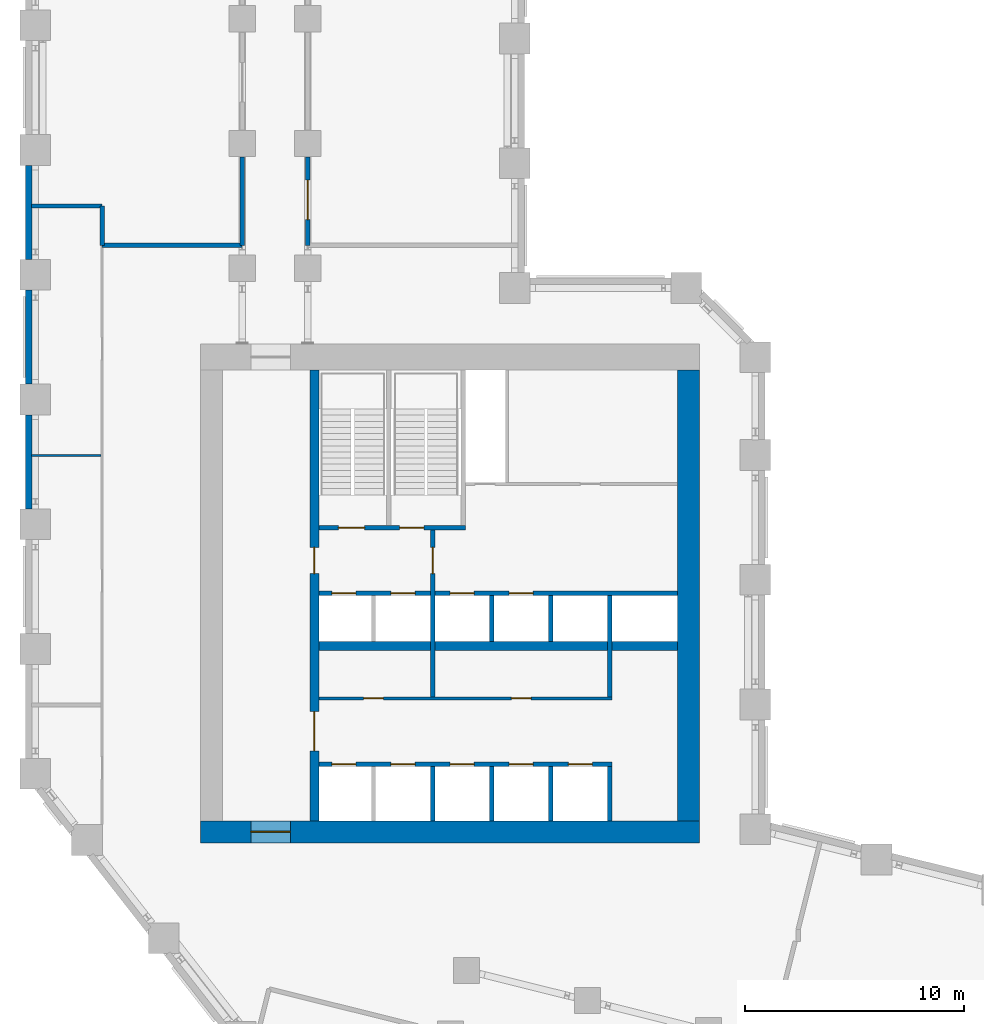
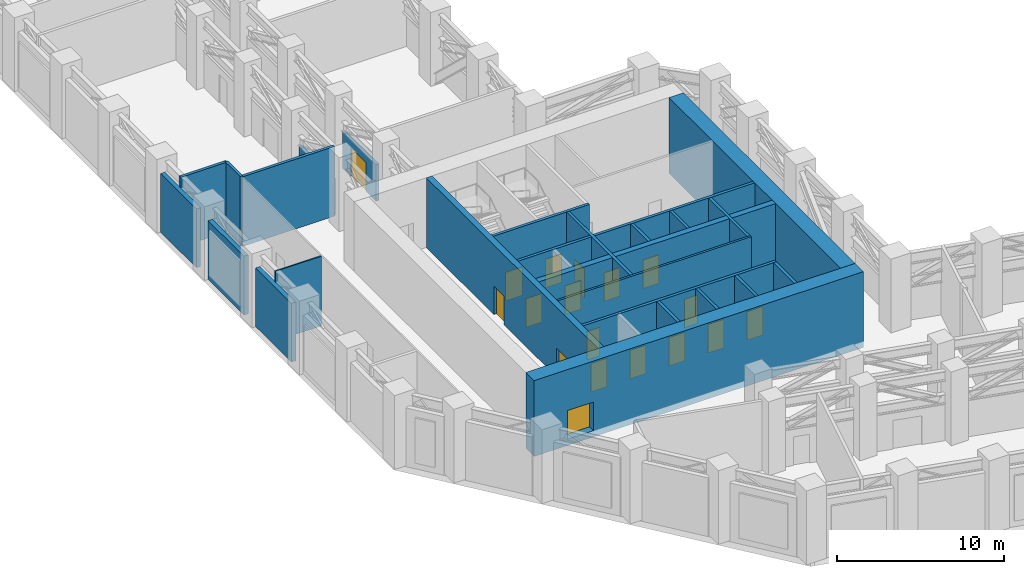
# One storey, part 8 of 14: 25 walls, 18 doors, 18 openings.
"""IFC4 building model written with IfcOpenShell, lengths in metres."""

from ifc_helpers import new_model, si_unit, direction, frame, frame_2d, origin, place, context, subcontext, project, spatial, rectangle, extrude, material, layer, layer_set, type_object, element, fill, save


model = new_model("IFC4")

# Units and contexts
model_context = context("Model", 3, precision=1e-05, world=origin(), true_north=direction((0.0, 1.0)))
body_context = subcontext(model_context, "Body", "Model", "MODEL_VIEW")
ifc_project = project(units=[si_unit("LENGTHUNIT", "METRE"), si_unit("AREAUNIT", "SQUARE_METRE"), si_unit("VOLUMEUNIT", "CUBIC_METRE"), si_unit("PLANEANGLEUNIT", "RADIAN"), si_unit("MASSUNIT", "GRAM", prefix="KILO")], contexts=[model_context])

# Site, building, storey
site_placement = place(None, origin())
site = spatial("IfcSite", under=ifc_project, at=site_placement, CompositionType="ELEMENT")
building_placement = place(site_placement, origin())
building = spatial("IfcBuilding", under=site, at=building_placement, Name="Meshkara Civic Tower", CompositionType="ELEMENT")
storey_placement = place(building_placement, frame((0.0, 0.0, 91.800048828125)))
storey = spatial("IfcBuildingStorey", under=building, at=storey_placement, Name="L20", CompositionType="ELEMENT", Elevation=91.800048828125)

# Wall, openings, doors
ifc_material_1 = material(Name="Blockwork", Category="masonry")
ifc_layer_1 = layer(ifc_material_1, 0.14990234375)
ifc_layer_set_1 = layer_set([ifc_layer_1], Name="Core partition 150")
wall_type_1 = type_object("IfcWallType", Name="Core partition 150", PredefinedType="PARTITIONING", material=ifc_layer_set_1)
wall_1_placement = place(storey_placement, frame((13.39990234375, 20.699951171875, 0.0), z_axis=(0.0, 0.0, 1.0), x_axis=(1.0, 0.0, 0.0)))
wall_1 = element("IfcWall", 1, at=wall_1_placement, inside=storey, type_object=wall_type_1, Name="L20-C006", PredefinedType="PARTITIONING", context=body_context, shape_type="SweptSolid", body=[
    extrude(rectangle(XDim=13.400146484375, YDim=0.14990234375, at=frame_2d((6.7001953125, 0.0))), origin(), (0.0, 0.0, 1.0), 5.099853515625),
])
opening_1_placement = place(wall_1_placement, frame((2.050048828125, 0.0, 0.0)))
opening_1 = element("IfcOpeningElement", 2, at=opening_1_placement, cuts=wall_1, Name="Opening L20-K010", PredefinedType="OPENING", context=body_context, shape_type="SweptSolid", body=[
    extrude(rectangle(XDim=0.89990234375, YDim=2.10009765625, at=frame_2d((0.449951171875, 1.050048828125))), frame((0.0, 0.0849609375, 0.0), z_axis=(0.0, -1.0, 0.0), x_axis=(1.0, 0.0, 0.0)), (0.0, 0.0, 1.0), 0.169921875),
])
opening_2_placement = place(wall_1_placement, frame((8.800048828125, 0.0, 0.0)))
opening_2 = element("IfcOpeningElement", 3, at=opening_2_placement, cuts=wall_1, Name="Opening L20-K011", PredefinedType="OPENING", context=body_context, shape_type="SweptSolid", body=[
    extrude(rectangle(XDim=0.89990234375, YDim=2.10009765625, at=frame_2d((0.449951171875, 1.050048828125))), frame((0.0, 0.0849609375, 0.0), z_axis=(0.0, -1.0, 0.0), x_axis=(1.0, 0.0, 0.0)), (0.0, 0.0, 1.0), 0.169921875),
])
ifc_material_2 = material(Name="Timber door leaf in steel frame", Category="steel")
door_type_1 = type_object("IfcDoorType", Name="Core room door 900", OperationType="SINGLE_SWING_LEFT", PredefinedType="DOOR", material=ifc_material_2)
door_1_placement = place(opening_1_placement, origin())
door_1 = element("IfcDoor", 4, at=door_1_placement, inside=storey, type_object=door_type_1, Name="L20-K010", OperationType="SINGLE_SWING_RIGHT", OverallHeight=2.10009765625, OverallWidth=0.89990234375, PredefinedType="DOOR", context=body_context, shape_type="SweptSolid", body=[
    extrude(rectangle(XDim=0.89990234375, YDim=2.10009765625, at=frame_2d((0.449951171875, 1.050048828125))), frame((0.0, 0.02490234375, 0.0), z_axis=(0.0, -1.0, 0.0), x_axis=(1.0, 0.0, 0.0)), (0.0, 0.0, 1.0), 0.050048828125),
])
fill(opening_1, door_1)
door_2_placement = place(opening_2_placement, origin())
door_2 = element("IfcDoor", 5, at=door_2_placement, inside=storey, type_object=door_type_1, Name="L20-K011", OperationType="SINGLE_SWING_RIGHT", OverallHeight=2.10009765625, OverallWidth=0.89990234375, PredefinedType="DOOR", context=body_context, shape_type="SweptSolid", body=[
    extrude(rectangle(XDim=0.89990234375, YDim=2.10009765625, at=frame_2d((0.449951171875, 1.050048828125))), frame((0.0, 0.02490234375, 0.0), z_axis=(0.0, -1.0, 0.0), x_axis=(1.0, 0.0, 0.0)), (0.0, 0.0, 1.0), 0.050048828125),
])
fill(opening_2, door_2)

# Wall, opening, door
ifc_material_3 = material(Name="Concrete C80", Category="concrete")
ifc_layer_2 = layer(ifc_material_3, 1.0)
ifc_layer_set_2 = layer_set([ifc_layer_2], Name="Core ring wall 1000 C80")
wall_type_2 = type_object("IfcWallType", Name="Core ring wall 1000 C80", PredefinedType="SHEAR", material=ifc_layer_set_2)
wall_2_placement = place(storey_placement, frame((8.0, 14.60009765625, -0.449951171875), z_axis=(0.0, 0.0, 1.0), x_axis=(1.0, 0.0, 0.0)))
wall_2 = element("IfcWall", 6, at=wall_2_placement, inside=storey, type_object=wall_type_2, Name="L20-C001", PredefinedType="SHEAR", context=body_context, shape_type="SweptSolid", body=[
    extrude(rectangle(XDim=22.800048828125, YDim=1.0, at=frame_2d((11.39990234375, 0.0))), origin(), (0.0, 0.0, 1.0), 5.5498046875),
])
opening_3_placement = place(wall_2_placement, frame((2.300048828125, 0.0, 0.449951171875)))
opening_3 = element("IfcOpeningElement", 7, at=opening_3_placement, cuts=wall_2, Name="Opening L20-K020", PredefinedType="OPENING", context=body_context, shape_type="SweptSolid", body=[
    extrude(rectangle(XDim=1.800048828125, YDim=2.10009765625, at=frame_2d((0.89990234375, 1.050048828125))), frame((0.0, 0.510009765625, 0.0), z_axis=(0.0, -1.0, 0.0), x_axis=(1.0, 0.0, 0.0)), (0.0, 0.0, 1.0), 1.02001953125),
])
ifc_material_4 = material(Name="Fire-rated door leaf in steel frame", Category="steel")
door_type_2 = type_object("IfcDoorType", Name="Core double door 1800 EI 60", OperationType="DOUBLE_DOOR_SINGLE_SWING", PredefinedType="DOOR", material=ifc_material_4)
door_3_placement = place(opening_3_placement, origin())
door_3 = element("IfcDoor", 8, at=door_3_placement, inside=storey, type_object=door_type_2, Name="L20-K020", OperationType="DOUBLE_DOOR_SINGLE_SWING", OverallHeight=2.10009765625, OverallWidth=1.800048828125, PredefinedType="DOOR", context=body_context, shape_type="SweptSolid", body=[
    extrude(rectangle(XDim=1.800048828125, YDim=2.10009765625, at=frame_2d((0.89990234375, 1.050048828125))), frame((0.0, 0.02490234375, 0.0), z_axis=(0.0, -1.0, 0.0), x_axis=(1.0, 0.0, 0.0)), (0.0, 0.0, 1.0), 0.050048828125),
])
fill(opening_3, door_3)

# Walls
wall_3_placement = place(storey_placement, frame((30.300048828125, 15.10009765625, -0.449951171875), z_axis=(0.0, 0.0, 1.0), x_axis=(0.0, 1.0, 0.0)))
element("IfcWall", 9, at=wall_3_placement, inside=storey, type_object=wall_type_2, Name="L20-C004", PredefinedType="SHEAR", context=body_context, shape_type="SweptSolid", body=[
    extrude(rectangle(XDim=20.599853515625, YDim=1.0, at=frame_2d((10.2998046875, 0.0))), origin(), (0.0, 0.0, 1.0), 5.5498046875),
])
ifc_material_5 = material(Name="Concrete C80", Category="concrete")
ifc_layer_3 = layer(ifc_material_5, 0.39990234375)
ifc_layer_set_3 = layer_set([ifc_layer_3], Name="Core shear wall 400 C80")
wall_type_3 = type_object("IfcWallType", Name="Core shear wall 400 C80", PredefinedType="SHEAR", material=ifc_layer_set_3)
wall_4_placement = place(storey_placement, frame((13.39990234375, 23.10009765625, 0.0), z_axis=(0.0, 0.0, 1.0), x_axis=(1.0, 0.0, 0.0)))
element("IfcWall", 10, at=wall_4_placement, inside=storey, type_object=wall_type_3, Name="L20-C007", PredefinedType="SHEAR", context=body_context, shape_type="SweptSolid", body=[
    extrude(rectangle(XDim=16.400146484375, YDim=0.39990234375, at=frame_2d((8.2001953125, 0.0))), origin(), (0.0, 0.0, 1.0), 5.099853515625),
])

# Wall, openings, doors
wall_5_placement = place(storey_placement, frame((13.199951171875, 15.10009765625, 0.0), z_axis=(0.0, 0.0, 1.0), x_axis=(0.0, 1.0, 0.0)))
wall_5 = element("IfcWall", 11, at=wall_5_placement, inside=storey, type_object=wall_type_3, Name="L20-C011", PredefinedType="SHEAR", context=body_context, shape_type="SweptSolid", body=[
    extrude(rectangle(XDim=20.599853515625, YDim=0.39990234375, at=frame_2d((10.2998046875, 0.0))), origin(), (0.0, 0.0, 1.0), 5.099853515625),
])
opening_4_placement = place(wall_5_placement, frame((3.199951171875, 0.0, 0.0)))
opening_4 = element("IfcOpeningElement", 12, at=opening_4_placement, cuts=wall_5, Name="Opening L20-K016", PredefinedType="OPENING", context=body_context, shape_type="SweptSolid", body=[
    extrude(rectangle(XDim=1.800048828125, YDim=2.10009765625, at=frame_2d((0.89990234375, 1.050048828125))), frame((0.0, 0.2099609375, 0.0), z_axis=(0.0, -1.0, 0.0), x_axis=(1.0, 0.0, 0.0)), (0.0, 0.0, 1.0), 0.419921875),
])
opening_5_placement = place(wall_5_placement, frame((11.300048828125, 0.0, 0.0)))
opening_5 = element("IfcOpeningElement", 13, at=opening_5_placement, cuts=wall_5, Name="Opening L20-K017", PredefinedType="OPENING", context=body_context, shape_type="SweptSolid", body=[
    extrude(rectangle(XDim=1.199951171875, YDim=2.10009765625, at=frame_2d((0.60009765625, 1.050048828125))), frame((0.0, 0.2099609375, 0.0), z_axis=(0.0, -1.0, 0.0), x_axis=(1.0, 0.0, 0.0)), (0.0, 0.0, 1.0), 0.419921875),
])
door_4_placement = place(opening_4_placement, origin())
door_4 = element("IfcDoor", 14, at=door_4_placement, inside=storey, type_object=door_type_2, Name="L20-K016", OperationType="DOUBLE_DOOR_SINGLE_SWING", OverallHeight=2.10009765625, OverallWidth=1.800048828125, PredefinedType="DOOR", context=body_context, shape_type="SweptSolid", body=[
    extrude(rectangle(XDim=1.800048828125, YDim=2.10009765625, at=frame_2d((0.89990234375, 1.050048828125))), frame((0.0, 0.02490234375, 0.0), z_axis=(0.0, -1.0, 0.0), x_axis=(1.0, 0.0, 0.0)), (0.0, 0.0, 1.0), 0.050048828125),
])
fill(opening_4, door_4)
ifc_material_6 = material(Name="Fire-rated door leaf in steel frame", Category="steel")
door_type_3 = type_object("IfcDoorType", Name="Fire-fighting lobby door 1200 EI 120", OperationType="SINGLE_SWING_LEFT", PredefinedType="DOOR", material=ifc_material_6)
door_5_placement = place(opening_5_placement, origin())
door_5 = element("IfcDoor", 15, at=door_5_placement, inside=storey, type_object=door_type_3, Name="L20-K017", OperationType="SINGLE_SWING_LEFT", OverallHeight=2.10009765625, OverallWidth=1.199951171875, PredefinedType="DOOR", context=body_context, shape_type="SweptSolid", body=[
    extrude(rectangle(XDim=1.199951171875, YDim=2.10009765625, at=frame_2d((0.60009765625, 1.050048828125))), frame((0.0, 0.02490234375, 0.0), z_axis=(0.0, -1.0, 0.0), x_axis=(1.0, 0.0, 0.0)), (0.0, 0.0, 1.0), 0.050048828125),
])
fill(opening_5, door_5)

# Walls
ifc_material_7 = material(Name="Insulated infill panel with bronze anodised aluminium cladding", Category="aluminium")
ifc_layer_4 = layer(ifc_material_7, 0.300048828125)
ifc_layer_set_4 = layer_set([ifc_layer_4], Name="EXTERNAL INFILL WALL 300")
wall_type_4 = type_object("IfcWallType", Name="EXTERNAL INFILL WALL 300", PredefinedType="SOLIDWALL", material=ifc_layer_set_4)
wall_6_placement = place(storey_placement, frame((0.14990234375, 45.054931640625, 0.0), z_axis=(0.0, 0.0, 1.0), x_axis=(0.0, -1.0, 0.0)))
element("IfcWall", 16, at=wall_6_placement, inside=storey, type_object=wall_type_4, Name="External wall", PredefinedType="SOLIDWALL", context=body_context, shape_type="SweptSolid", body=[
    extrude(rectangle(XDim=4.298828125, YDim=0.300048828125, at=frame_2d((2.1494140625, 0.0))), origin(), (0.0, 0.0, 1.0), 4.300048828125),
])
for number, where, z_axis, x_axis, name in (
    (17, (0.14990234375, 39.35400390625, 0.0), (0.0, 0.0, 1.0), (0.0, -1.0, 0.0), "External wall"),
    (18, (0.14990234375, 33.654052734375, 0.0), (0.0, 0.0, 1.0), (0.0, -1.0, 0.0), "External wall"),
):
    element("IfcWall", number, at=place(storey_placement, frame(where, z_axis=z_axis, x_axis=x_axis)), inside=storey, type_object=wall_type_4, Name=name, PredefinedType="SOLIDWALL", context=body_context, shape_type="SweptSolid", body=[
        extrude(rectangle(XDim=4.298095703125, YDim=0.300048828125, at=frame_2d((2.14892578125, 0.0))), origin(), (0.0, 0.0, 1.0), 4.300048828125),
    ])
ifc_material_8 = material(Name="Fire-rated wall 200")
ifc_layer_5 = layer(ifc_material_8, 0.199951171875)
ifc_layer_set_5 = layer_set([ifc_layer_5], Name="Fire-rated wall 200")
wall_type_5 = type_object("IfcWallType", Name="Fire-rated wall 200", PredefinedType="PARTITIONING", material=ifc_layer_set_5)
wall_7_placement = place(storey_placement, frame((9.89990234375, 41.39990234375, 0.0), z_axis=(0.0, 0.0, 1.0), x_axis=(-1.0, 0.0, 0.0)))
element("IfcWall", 19, at=wall_7_placement, inside=storey, type_object=wall_type_5, Name="L20-R003", PredefinedType="PARTITIONING", context=body_context, shape_type="SweptSolid", body=[
    extrude(rectangle(XDim=6.39990234375, YDim=0.199951171875, at=frame_2d((3.199951171875, 0.0))), origin(), (0.0, 0.0, 1.0), 5.099853515625),
])
wall_8_placement = place(storey_placement, frame((9.89990234375, 45.429931640625, 0.0), z_axis=(0.0, 0.0, 1.0), x_axis=(0.0, -1.0, 0.0)))
element("IfcWall", 20, at=wall_8_placement, inside=storey, type_object=wall_type_5, Name="L20-R004", PredefinedType="PARTITIONING", context=body_context, shape_type="SweptSolid", body=[
    extrude(rectangle(XDim=4.030029296875, YDim=0.199951171875, at=frame_2d((2.01513671875, 0.0))), origin(), (0.0, 0.0, 1.0), 2.683837890625),
])

# Wall, opening, door
wall_9_placement = place(storey_placement, frame((12.89990234375, 41.39990234375, 0.0), z_axis=(0.0, 0.0, 1.0), x_axis=(0.0, 1.0, 0.0)))
wall_9 = element("IfcWall", 21, at=wall_9_placement, inside=storey, type_object=wall_type_5, Name="L20-R010", PredefinedType="PARTITIONING", context=body_context, shape_type="SweptSolid", body=[
    extrude(rectangle(XDim=4.030029296875, YDim=0.199951171875, at=frame_2d((2.01513671875, 0.0))), origin(), (0.0, 0.0, 1.0), 2.683837890625),
])
opening_6_placement = place(wall_9_placement, frame((1.179931640625, 0.0, 0.0)))
opening_6 = element("IfcOpeningElement", 22, at=opening_6_placement, cuts=wall_9, Name="Opening L20-P015", PredefinedType="OPENING", context=body_context, shape_type="SweptSolid", body=[
    extrude(rectangle(XDim=1.800048828125, YDim=2.10009765625, at=frame_2d((0.89990234375, 1.050048828125))), frame((0.0, 0.10986328125, 0.0), z_axis=(0.0, -1.0, 0.0), x_axis=(1.0, 0.0, 0.0)), (0.0, 0.0, 1.0), 0.219970703125),
])
ifc_material_9 = material(Name="Door pair 1800 x 2100")
door_type_4 = type_object("IfcDoorType", Name="Door pair 1800 x 2100", OperationType="SINGLE_SWING_LEFT", PredefinedType="DOOR", material=ifc_material_9)
door_6_placement = place(opening_6_placement, origin())
door_6 = element("IfcDoor", 23, at=door_6_placement, inside=storey, type_object=door_type_4, Name="L20-P015", OperationType="DOUBLE_DOOR_SINGLE_SWING", OverallHeight=2.10009765625, OverallWidth=1.800048828125, PredefinedType="DOOR", context=body_context, shape_type="SweptSolid", body=[
    extrude(rectangle(XDim=1.800048828125, YDim=2.10009765625, at=frame_2d((0.89990234375, 1.050048828125))), frame((0.0, 0.02490234375, 0.0), z_axis=(0.0, -1.0, 0.0), x_axis=(1.0, 0.0, 0.0)), (0.0, 0.0, 1.0), 0.050048828125),
])
fill(opening_6, door_6)

# Walls
wall_10_placement = place(storey_placement, frame((0.280029296875, 43.199951171875, 0.0), z_axis=(0.0, 0.0, 1.0), x_axis=(1.0, 0.0, 0.0)))
element("IfcWall", 24, at=wall_10_placement, inside=storey, type_object=wall_type_5, Name="L20-R037", PredefinedType="PARTITIONING", context=body_context, shape_type="SweptSolid", body=[
    extrude(rectangle(XDim=3.219970703125, YDim=0.199951171875, at=frame_2d((1.60986328125, 0.0))), origin(), (0.0, 0.0, 1.0), 5.099853515625),
])
wall_11_placement = place(storey_placement, frame((3.5, 43.199951171875, 0.0), z_axis=(0.0, 0.0, 1.0), x_axis=(0.0, -1.0, 0.0)))
element("IfcWall", 25, at=wall_11_placement, inside=storey, type_object=wall_type_5, Name="L20-R040", PredefinedType="PARTITIONING", context=body_context, shape_type="SweptSolid", body=[
    extrude(rectangle(XDim=1.803955078125, YDim=0.199951171875, at=frame_2d((0.90185546875, 0.0))), origin(), (0.0, 0.0, 1.0), 5.099853515625),
])
ifc_material_10 = material(Name="Partition 100")
ifc_layer_6 = layer(ifc_material_10, 0.10009765625)
ifc_layer_set_6 = layer_set([ifc_layer_6], Name="Partition 100")
wall_type_6 = type_object("IfcWallType", Name="Partition 100", PredefinedType="PARTITIONING", material=ifc_layer_set_6)
wall_12_placement = place(storey_placement, frame((3.449951171875, 31.800048828125, 0.0), z_axis=(0.0, 0.0, 1.0), x_axis=(-1.0, 0.0, 0.0)))
element("IfcWall", 26, at=wall_12_placement, inside=storey, type_object=wall_type_6, Name="L20-R039", PredefinedType="PARTITIONING", context=body_context, shape_type="SweptSolid", body=[
    extrude(rectangle(XDim=3.169921875, YDim=0.10009765625, at=frame_2d((1.5849609375, 0.0))), origin(), (0.0, 0.0, 1.0), 5.099853515625),
])

# Wall, openings, doors
ifc_material_11 = material(Name="Concrete C40/50", Category="concrete")
ifc_layer_7 = layer(ifc_material_11, 0.199951171875)
ifc_layer_set_7 = layer_set([ifc_layer_7], Name="Shaft wall 200 C40/50")
wall_type_7 = type_object("IfcWallType", Name="Shaft wall 200 C40/50", PredefinedType="SOLIDWALL", material=ifc_layer_set_7)
wall_13_placement = place(storey_placement, frame((13.39990234375, 17.699951171875, 0.0), z_axis=(0.0, 0.0, 1.0), x_axis=(1.0, 0.0, 0.0)))
wall_13 = element("IfcWall", 27, at=wall_13_placement, inside=storey, type_object=wall_type_7, Name="L20-C005", PredefinedType="SOLIDWALL", context=body_context, shape_type="SweptSolid", body=[
    extrude(rectangle(XDim=13.400146484375, YDim=0.199951171875, at=frame_2d((6.7001953125, 0.0))), origin(), (0.0, 0.0, 1.0), 5.099853515625),
])
opening_7_placement = place(wall_13_placement, frame((0.60009765625, 0.0, 0.0)))
opening_7 = element("IfcOpeningElement", 28, at=opening_7_placement, cuts=wall_13, Name="Opening L20-K001", PredefinedType="OPENING", context=body_context, shape_type="SweptSolid", body=[
    extrude(rectangle(XDim=1.10009765625, YDim=2.10009765625, at=frame_2d((0.550048828125, 1.050048828125))), frame((0.0, 0.10986328125, 0.0), z_axis=(0.0, -1.0, 0.0), x_axis=(1.0, 0.0, 0.0)), (0.0, 0.0, 1.0), 0.219970703125),
])
opening_8_placement = place(wall_13_placement, frame((3.300048828125, 0.0, 0.0)))
opening_8 = element("IfcOpeningElement", 29, at=opening_8_placement, cuts=wall_13, Name="Opening L20-K002", PredefinedType="OPENING", context=body_context, shape_type="SweptSolid", body=[
    extrude(rectangle(XDim=1.10009765625, YDim=2.10009765625, at=frame_2d((0.550048828125, 1.050048828125))), frame((0.0, 0.10986328125, 0.0), z_axis=(0.0, -1.0, 0.0), x_axis=(1.0, 0.0, 0.0)), (0.0, 0.0, 1.0), 0.219970703125),
])
opening_9_placement = place(wall_13_placement, frame((6.0, 0.0, 0.0)))
opening_9 = element("IfcOpeningElement", 30, at=opening_9_placement, cuts=wall_13, Name="Opening L20-K003", PredefinedType="OPENING", context=body_context, shape_type="SweptSolid", body=[
    extrude(rectangle(XDim=1.10009765625, YDim=2.10009765625, at=frame_2d((0.550048828125, 1.050048828125))), frame((0.0, 0.10986328125, 0.0), z_axis=(0.0, -1.0, 0.0), x_axis=(1.0, 0.0, 0.0)), (0.0, 0.0, 1.0), 0.219970703125),
])
opening_10_placement = place(wall_13_placement, frame((8.699951171875, 0.0, 0.0)))
opening_10 = element("IfcOpeningElement", 31, at=opening_10_placement, cuts=wall_13, Name="Opening L20-K004", PredefinedType="OPENING", context=body_context, shape_type="SweptSolid", body=[
    extrude(rectangle(XDim=1.10009765625, YDim=2.10009765625, at=frame_2d((0.550048828125, 1.050048828125))), frame((0.0, 0.10986328125, 0.0), z_axis=(0.0, -1.0, 0.0), x_axis=(1.0, 0.0, 0.0)), (0.0, 0.0, 1.0), 0.219970703125),
])
opening_11_placement = place(wall_13_placement, frame((11.39990234375, 0.0, 0.0)))
opening_11 = element("IfcOpeningElement", 32, at=opening_11_placement, cuts=wall_13, Name="Opening L20-K005", PredefinedType="OPENING", context=body_context, shape_type="SweptSolid", body=[
    extrude(rectangle(XDim=1.10009765625, YDim=2.10009765625, at=frame_2d((0.550048828125, 1.050048828125))), frame((0.0, 0.10986328125, 0.0), z_axis=(0.0, -1.0, 0.0), x_axis=(1.0, 0.0, 0.0)), (0.0, 0.0, 1.0), 0.219970703125),
])
ifc_material_12 = material(Name="Stainless steel landing door", Category="steel")
door_type_5 = type_object("IfcDoorType", Name="Lift landing door 1100", OperationType="SLIDING_TO_LEFT", PredefinedType="DOOR", material=ifc_material_12)
door_7_placement = place(opening_7_placement, origin())
door_7 = element("IfcDoor", 33, at=door_7_placement, inside=storey, type_object=door_type_5, Name="L20-K001", OperationType="SLIDING_TO_LEFT", OverallHeight=2.10009765625, OverallWidth=1.10009765625, PredefinedType="DOOR", context=body_context, shape_type="SweptSolid", body=[
    extrude(rectangle(XDim=1.10009765625, YDim=2.10009765625, at=frame_2d((0.550048828125, 1.050048828125))), frame((0.0, 0.02490234375, 0.0), z_axis=(0.0, -1.0, 0.0), x_axis=(1.0, 0.0, 0.0)), (0.0, 0.0, 1.0), 0.050048828125),
])
fill(opening_7, door_7)
door_8_placement = place(opening_8_placement, origin())
door_8 = element("IfcDoor", 34, at=door_8_placement, inside=storey, type_object=door_type_5, Name="L20-K002", OperationType="SLIDING_TO_LEFT", OverallHeight=2.10009765625, OverallWidth=1.10009765625, PredefinedType="DOOR", context=body_context, shape_type="SweptSolid", body=[
    extrude(rectangle(XDim=1.10009765625, YDim=2.10009765625, at=frame_2d((0.550048828125, 1.050048828125))), frame((0.0, 0.02490234375, 0.0), z_axis=(0.0, -1.0, 0.0), x_axis=(1.0, 0.0, 0.0)), (0.0, 0.0, 1.0), 0.050048828125),
])
fill(opening_8, door_8)
door_9_placement = place(opening_9_placement, origin())
door_9 = element("IfcDoor", 35, at=door_9_placement, inside=storey, type_object=door_type_5, Name="L20-K003", OperationType="SLIDING_TO_LEFT", OverallHeight=2.10009765625, OverallWidth=1.10009765625, PredefinedType="DOOR", context=body_context, shape_type="SweptSolid", body=[
    extrude(rectangle(XDim=1.10009765625, YDim=2.10009765625, at=frame_2d((0.550048828125, 1.050048828125))), frame((0.0, 0.02490234375, 0.0), z_axis=(0.0, -1.0, 0.0), x_axis=(1.0, 0.0, 0.0)), (0.0, 0.0, 1.0), 0.050048828125),
])
fill(opening_9, door_9)
door_10_placement = place(opening_10_placement, origin())
door_10 = element("IfcDoor", 36, at=door_10_placement, inside=storey, type_object=door_type_5, Name="L20-K004", OperationType="SLIDING_TO_LEFT", OverallHeight=2.10009765625, OverallWidth=1.10009765625, PredefinedType="DOOR", context=body_context, shape_type="SweptSolid", body=[
    extrude(rectangle(XDim=1.10009765625, YDim=2.10009765625, at=frame_2d((0.550048828125, 1.050048828125))), frame((0.0, 0.02490234375, 0.0), z_axis=(0.0, -1.0, 0.0), x_axis=(1.0, 0.0, 0.0)), (0.0, 0.0, 1.0), 0.050048828125),
])
fill(opening_10, door_10)
door_11_placement = place(opening_11_placement, origin())
door_11 = element("IfcDoor", 37, at=door_11_placement, inside=storey, type_object=door_type_5, Name="L20-K005", OperationType="SLIDING_TO_LEFT", OverallHeight=2.10009765625, OverallWidth=1.10009765625, PredefinedType="DOOR", context=body_context, shape_type="SweptSolid", body=[
    extrude(rectangle(XDim=1.10009765625, YDim=2.10009765625, at=frame_2d((0.550048828125, 1.050048828125))), frame((0.0, 0.02490234375, 0.0), z_axis=(0.0, -1.0, 0.0), x_axis=(1.0, 0.0, 0.0)), (0.0, 0.0, 1.0), 0.050048828125),
])
fill(opening_11, door_11)

wall_14_placement = place(storey_placement, frame((13.39990234375, 25.5, 0.0), z_axis=(0.0, 0.0, 1.0), x_axis=(1.0, 0.0, 0.0)))
wall_14 = element("IfcWall", 38, at=wall_14_placement, inside=storey, type_object=wall_type_7, Name="L20-C008", PredefinedType="SOLIDWALL", context=body_context, shape_type="SweptSolid", body=[
    extrude(rectangle(XDim=16.400146484375, YDim=0.199951171875, at=frame_2d((8.2001953125, 0.0))), origin(), (0.0, 0.0, 1.0), 5.099853515625),
])
opening_12_placement = place(wall_14_placement, frame((0.60009765625, 0.0, 0.0)))
opening_12 = element("IfcOpeningElement", 39, at=opening_12_placement, cuts=wall_14, Name="Opening L20-K006", PredefinedType="OPENING", context=body_context, shape_type="SweptSolid", body=[
    extrude(rectangle(XDim=1.10009765625, YDim=2.10009765625, at=frame_2d((0.550048828125, 1.050048828125))), frame((0.0, 0.10986328125, 0.0), z_axis=(0.0, -1.0, 0.0), x_axis=(1.0, 0.0, 0.0)), (0.0, 0.0, 1.0), 0.219970703125),
])
opening_13_placement = place(wall_14_placement, frame((3.300048828125, 0.0, 0.0)))
opening_13 = element("IfcOpeningElement", 40, at=opening_13_placement, cuts=wall_14, Name="Opening L20-K007", PredefinedType="OPENING", context=body_context, shape_type="SweptSolid", body=[
    extrude(rectangle(XDim=1.10009765625, YDim=2.10009765625, at=frame_2d((0.550048828125, 1.050048828125))), frame((0.0, 0.10986328125, 0.0), z_axis=(0.0, -1.0, 0.0), x_axis=(1.0, 0.0, 0.0)), (0.0, 0.0, 1.0), 0.219970703125),
])
opening_14_placement = place(wall_14_placement, frame((6.0, 0.0, 0.0)))
opening_14 = element("IfcOpeningElement", 41, at=opening_14_placement, cuts=wall_14, Name="Opening L20-K008", PredefinedType="OPENING", context=body_context, shape_type="SweptSolid", body=[
    extrude(rectangle(XDim=1.10009765625, YDim=2.10009765625, at=frame_2d((0.550048828125, 1.050048828125))), frame((0.0, 0.10986328125, 0.0), z_axis=(0.0, -1.0, 0.0), x_axis=(1.0, 0.0, 0.0)), (0.0, 0.0, 1.0), 0.219970703125),
])
opening_15_placement = place(wall_14_placement, frame((8.699951171875, 0.0, 0.0)))
opening_15 = element("IfcOpeningElement", 42, at=opening_15_placement, cuts=wall_14, Name="Opening L20-K009", PredefinedType="OPENING", context=body_context, shape_type="SweptSolid", body=[
    extrude(rectangle(XDim=1.10009765625, YDim=2.10009765625, at=frame_2d((0.550048828125, 1.050048828125))), frame((0.0, 0.10986328125, 0.0), z_axis=(0.0, -1.0, 0.0), x_axis=(1.0, 0.0, 0.0)), (0.0, 0.0, 1.0), 0.219970703125),
])
door_12_placement = place(opening_12_placement, origin())
door_12 = element("IfcDoor", 43, at=door_12_placement, inside=storey, type_object=door_type_5, Name="L20-K006", OperationType="SLIDING_TO_LEFT", OverallHeight=2.10009765625, OverallWidth=1.10009765625, PredefinedType="DOOR", context=body_context, shape_type="SweptSolid", body=[
    extrude(rectangle(XDim=1.10009765625, YDim=2.10009765625, at=frame_2d((0.550048828125, 1.050048828125))), frame((0.0, 0.02490234375, 0.0), z_axis=(0.0, -1.0, 0.0), x_axis=(1.0, 0.0, 0.0)), (0.0, 0.0, 1.0), 0.050048828125),
])
fill(opening_12, door_12)
door_13_placement = place(opening_13_placement, origin())
door_13 = element("IfcDoor", 44, at=door_13_placement, inside=storey, type_object=door_type_5, Name="L20-K007", OperationType="SLIDING_TO_LEFT", OverallHeight=2.10009765625, OverallWidth=1.10009765625, PredefinedType="DOOR", context=body_context, shape_type="SweptSolid", body=[
    extrude(rectangle(XDim=1.10009765625, YDim=2.10009765625, at=frame_2d((0.550048828125, 1.050048828125))), frame((0.0, 0.02490234375, 0.0), z_axis=(0.0, -1.0, 0.0), x_axis=(1.0, 0.0, 0.0)), (0.0, 0.0, 1.0), 0.050048828125),
])
fill(opening_13, door_13)
door_14_placement = place(opening_14_placement, origin())
door_14 = element("IfcDoor", 45, at=door_14_placement, inside=storey, type_object=door_type_5, Name="L20-K008", OperationType="SLIDING_TO_LEFT", OverallHeight=2.10009765625, OverallWidth=1.10009765625, PredefinedType="DOOR", context=body_context, shape_type="SweptSolid", body=[
    extrude(rectangle(XDim=1.10009765625, YDim=2.10009765625, at=frame_2d((0.550048828125, 1.050048828125))), frame((0.0, 0.02490234375, 0.0), z_axis=(0.0, -1.0, 0.0), x_axis=(1.0, 0.0, 0.0)), (0.0, 0.0, 1.0), 0.050048828125),
])
fill(opening_14, door_14)
door_15_placement = place(opening_15_placement, origin())
door_15 = element("IfcDoor", 46, at=door_15_placement, inside=storey, type_object=door_type_5, Name="L20-K009", OperationType="SLIDING_TO_LEFT", OverallHeight=2.10009765625, OverallWidth=1.10009765625, PredefinedType="DOOR", context=body_context, shape_type="SweptSolid", body=[
    extrude(rectangle(XDim=1.10009765625, YDim=2.10009765625, at=frame_2d((0.550048828125, 1.050048828125))), frame((0.0, 0.02490234375, 0.0), z_axis=(0.0, -1.0, 0.0), x_axis=(1.0, 0.0, 0.0)), (0.0, 0.0, 1.0), 0.050048828125),
])
fill(opening_15, door_15)

# Wall
wall_15_placement = place(storey_placement, frame((18.60009765625, 15.10009765625, 0.0), z_axis=(0.0, 0.0, 1.0), x_axis=(0.0, 1.0, 0.0)))
element("IfcWall", 47, at=wall_15_placement, inside=storey, type_object=wall_type_7, Name="L20-C015", PredefinedType="SOLIDWALL", context=body_context, shape_type="SweptSolid", body=[
    extrude(rectangle(XDim=2.5, YDim=0.199951171875, at=frame_2d((1.25, 0.0))), origin(), (0.0, 0.0, 1.0), 5.099853515625),
])

# Wall, opening, door
wall_16_placement = place(storey_placement, frame((18.60009765625, 20.77490234375, 0.0), z_axis=(0.0, 0.0, 1.0), x_axis=(0.0, 1.0, 0.0)))
wall_16 = element("IfcWall", 48, at=wall_16_placement, inside=storey, type_object=wall_type_7, Name="L20-C016", PredefinedType="SOLIDWALL", context=body_context, shape_type="SweptSolid", body=[
    extrude(rectangle(XDim=7.625, YDim=0.199951171875, at=frame_2d((3.8125, 0.0))), origin(), (0.0, 0.0, 1.0), 5.099853515625),
])
opening_16_placement = place(wall_16_placement, frame((5.625, 0.0, 0.0)))
opening_16 = element("IfcOpeningElement", 49, at=opening_16_placement, cuts=wall_16, Name="Opening L20-K018", PredefinedType="OPENING", context=body_context, shape_type="SweptSolid", body=[
    extrude(rectangle(XDim=1.199951171875, YDim=2.10009765625, at=frame_2d((0.60009765625, 1.050048828125))), frame((0.0, 0.10986328125, 0.0), z_axis=(0.0, -1.0, 0.0), x_axis=(1.0, 0.0, 0.0)), (0.0, 0.0, 1.0), 0.219970703125),
])
door_16_placement = place(opening_16_placement, origin())
door_16 = element("IfcDoor", 50, at=door_16_placement, inside=storey, type_object=door_type_3, Name="L20-K018", OperationType="SINGLE_SWING_RIGHT", OverallHeight=2.10009765625, OverallWidth=1.199951171875, PredefinedType="DOOR", context=body_context, shape_type="SweptSolid", body=[
    extrude(rectangle(XDim=1.199951171875, YDim=2.10009765625, at=frame_2d((0.60009765625, 1.050048828125))), frame((0.0, 0.02490234375, 0.0), z_axis=(0.0, -1.0, 0.0), x_axis=(1.0, 0.0, 0.0)), (0.0, 0.0, 1.0), 0.050048828125),
])
fill(opening_16, door_16)

# Walls
wall_17_placement = place(storey_placement, frame((21.300048828125, 15.10009765625, 0.0), z_axis=(0.0, 0.0, 1.0), x_axis=(0.0, 1.0, 0.0)))
element("IfcWall", 51, at=wall_17_placement, inside=storey, type_object=wall_type_7, Name="L20-C018", PredefinedType="SOLIDWALL", context=body_context, shape_type="SweptSolid", body=[
    extrude(rectangle(XDim=2.5, YDim=0.199951171875, at=frame_2d((1.25, 0.0))), origin(), (0.0, 0.0, 1.0), 5.099853515625),
])
wall_18_placement = place(storey_placement, frame((21.300048828125, 23.300048828125, 0.0), z_axis=(0.0, 0.0, 1.0), x_axis=(0.0, 1.0, 0.0)))
element("IfcWall", 52, at=wall_18_placement, inside=storey, type_object=wall_type_7, Name="L20-C019", PredefinedType="SOLIDWALL", context=body_context, shape_type="SweptSolid", body=[
    extrude(rectangle(XDim=2.099853515625, YDim=0.199951171875, at=frame_2d((1.0498046875, 0.0))), origin(), (0.0, 0.0, 1.0), 5.099853515625),
])
wall_19_placement = place(storey_placement, frame((24.0, 15.10009765625, 0.0), z_axis=(0.0, 0.0, 1.0), x_axis=(0.0, 1.0, 0.0)))
element("IfcWall", 53, at=wall_19_placement, inside=storey, type_object=wall_type_7, Name="L20-C021", PredefinedType="SOLIDWALL", context=body_context, shape_type="SweptSolid", body=[
    extrude(rectangle(XDim=2.5, YDim=0.199951171875, at=frame_2d((1.25, 0.0))), origin(), (0.0, 0.0, 1.0), 5.099853515625),
])
wall_20_placement = place(storey_placement, frame((24.0, 23.300048828125, 0.0), z_axis=(0.0, 0.0, 1.0), x_axis=(0.0, 1.0, 0.0)))
element("IfcWall", 54, at=wall_20_placement, inside=storey, type_object=wall_type_7, Name="L20-C022", PredefinedType="SOLIDWALL", context=body_context, shape_type="SweptSolid", body=[
    extrude(rectangle(XDim=2.099853515625, YDim=0.199951171875, at=frame_2d((1.0498046875, 0.0))), origin(), (0.0, 0.0, 1.0), 5.099853515625),
])
wall_21_placement = place(storey_placement, frame((26.699951171875, 15.10009765625, 0.0), z_axis=(0.0, 0.0, 1.0), x_axis=(0.0, 1.0, 0.0)))
element("IfcWall", 55, at=wall_21_placement, inside=storey, type_object=wall_type_7, Name="L20-C023", PredefinedType="SOLIDWALL", context=body_context, shape_type="SweptSolid", body=[
    extrude(rectangle(XDim=2.5, YDim=0.199951171875, at=frame_2d((1.25, 0.0))), origin(), (0.0, 0.0, 1.0), 5.099853515625),
])
wall_22_placement = place(storey_placement, frame((26.699951171875, 20.77490234375, 0.0), z_axis=(0.0, 0.0, 1.0), x_axis=(0.0, 1.0, 0.0)))
element("IfcWall", 56, at=wall_22_placement, inside=storey, type_object=wall_type_7, Name="L20-C024", PredefinedType="SOLIDWALL", context=body_context, shape_type="SweptSolid", body=[
    extrude(rectangle(XDim=4.625, YDim=0.199951171875, at=frame_2d((2.3125, 0.0))), origin(), (0.0, 0.0, 1.0), 5.099853515625),
])

# Wall, openings, doors
ifc_material_13 = material(Name="Concrete C40/50", Category="concrete")
ifc_layer_8 = layer(ifc_material_13, 0.199951171875)
ifc_layer_set_8 = layer_set([ifc_layer_8], Name="Stair enclosure wall 200 C40/50")
wall_type_8 = type_object("IfcWallType", Name="Stair enclosure wall 200 C40/50", PredefinedType="SOLIDWALL", material=ifc_layer_set_8)
wall_23_placement = place(storey_placement, frame((13.39990234375, 28.5, 0.0), z_axis=(0.0, 0.0, 1.0), x_axis=(1.0, 0.0, 0.0)))
wall_23 = element("IfcWall", 57, at=wall_23_placement, inside=storey, type_object=wall_type_8, Name="L20-C009", PredefinedType="SOLIDWALL", context=body_context, shape_type="SweptSolid", body=[
    extrude(rectangle(XDim=6.7001953125, YDim=0.199951171875, at=frame_2d((3.35009765625, 0.0))), origin(), (0.0, 0.0, 1.0), 5.099853515625),
])
opening_17_placement = place(wall_23_placement, frame((0.89990234375, 0.0, 0.0)))
opening_17 = element("IfcOpeningElement", 58, at=opening_17_placement, cuts=wall_23, Name="Opening L20-K014", PredefinedType="OPENING", context=body_context, shape_type="SweptSolid", body=[
    extrude(rectangle(XDim=1.199951171875, YDim=2.10009765625, at=frame_2d((0.60009765625, 1.050048828125))), frame((0.0, 0.10986328125, 0.0), z_axis=(0.0, -1.0, 0.0), x_axis=(1.0, 0.0, 0.0)), (0.0, 0.0, 1.0), 0.219970703125),
])
opening_18_placement = place(wall_23_placement, frame((3.699951171875, 0.0, 0.0)))
opening_18 = element("IfcOpeningElement", 59, at=opening_18_placement, cuts=wall_23, Name="Opening L20-K015", PredefinedType="OPENING", context=body_context, shape_type="SweptSolid", body=[
    extrude(rectangle(XDim=1.10009765625, YDim=2.10009765625, at=frame_2d((0.550048828125, 1.050048828125))), frame((0.0, 0.10986328125, 0.0), z_axis=(0.0, -1.0, 0.0), x_axis=(1.0, 0.0, 0.0)), (0.0, 0.0, 1.0), 0.219970703125),
])
ifc_material_14 = material(Name="Fire-rated door leaf in steel frame", Category="steel")
door_type_6 = type_object("IfcDoorType", Name="Stair door 1100 EI 120", OperationType="SINGLE_SWING_LEFT", PredefinedType="DOOR", material=ifc_material_14)
door_17_placement = place(opening_18_placement, origin())
door_17 = element("IfcDoor", 60, at=door_17_placement, inside=storey, type_object=door_type_6, Name="L20-K015", OperationType="SINGLE_SWING_LEFT", OverallHeight=2.10009765625, OverallWidth=1.10009765625, PredefinedType="DOOR", context=body_context, shape_type="SweptSolid", body=[
    extrude(rectangle(XDim=1.10009765625, YDim=2.10009765625, at=frame_2d((0.550048828125, 1.050048828125))), frame((0.0, 0.02490234375, 0.0), z_axis=(0.0, -1.0, 0.0), x_axis=(1.0, 0.0, 0.0)), (0.0, 0.0, 1.0), 0.050048828125),
])
fill(opening_18, door_17)
ifc_material_15 = material(Name="Fire-rated door leaf in steel frame", Category="steel")
door_type_7 = type_object("IfcDoorType", Name="Stair door 1200 EI 120", OperationType="SINGLE_SWING_LEFT", PredefinedType="DOOR", material=ifc_material_15)
door_18_placement = place(opening_17_placement, origin())
door_18 = element("IfcDoor", 61, at=door_18_placement, inside=storey, type_object=door_type_7, Name="L20-K014", OperationType="SINGLE_SWING_RIGHT", OverallHeight=2.10009765625, OverallWidth=1.199951171875, PredefinedType="DOOR", context=body_context, shape_type="SweptSolid", body=[
    extrude(rectangle(XDim=1.199951171875, YDim=2.10009765625, at=frame_2d((0.60009765625, 1.050048828125))), frame((0.0, 0.02490234375, 0.0), z_axis=(0.0, -1.0, 0.0), x_axis=(1.0, 0.0, 0.0)), (0.0, 0.0, 1.0), 0.050048828125),
])
fill(opening_17, door_18)

save(model, "model.ifc")
